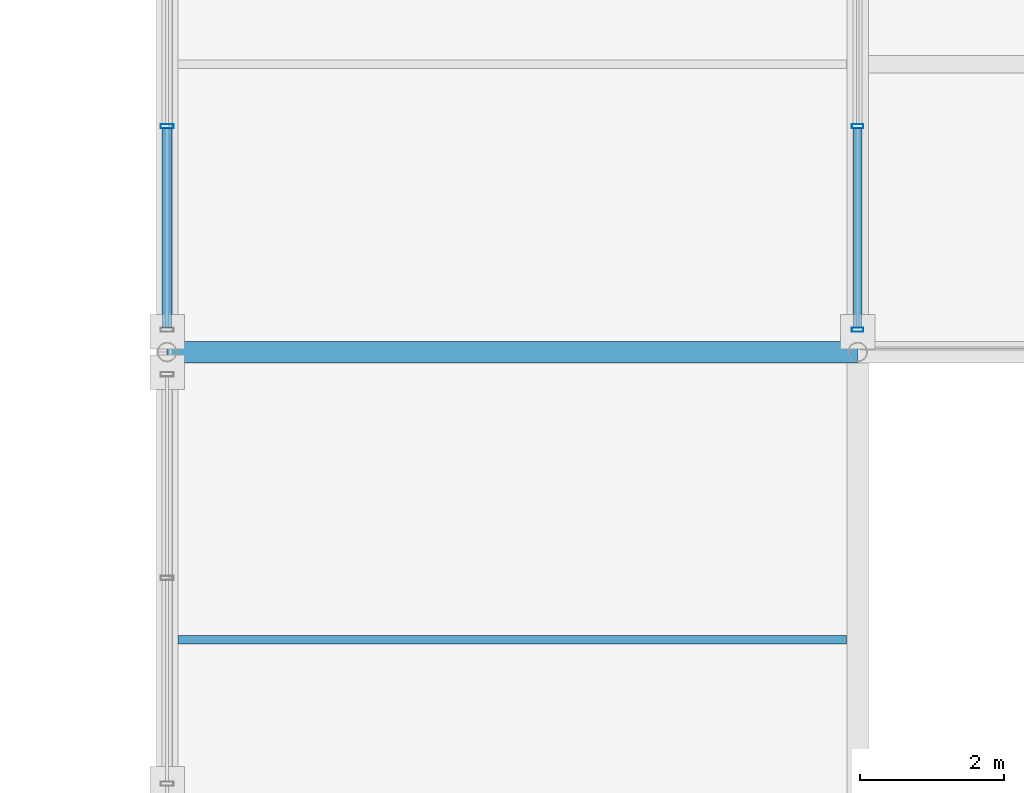
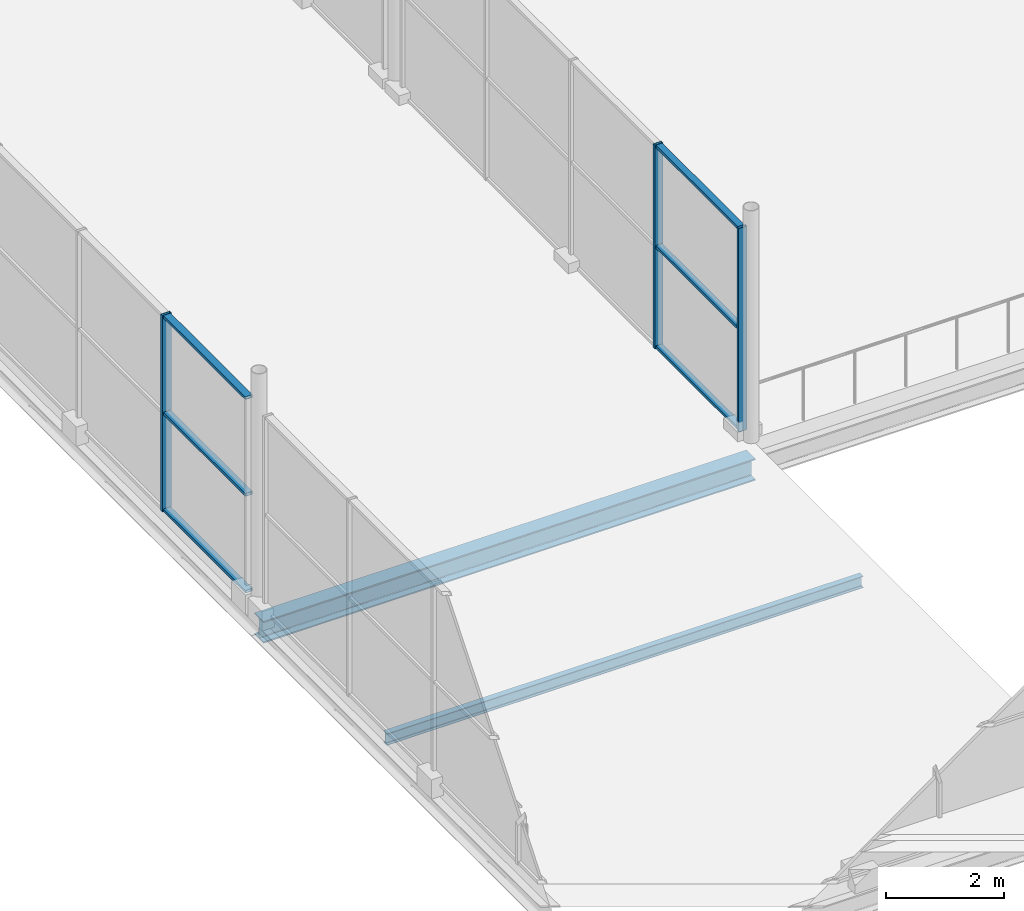
# One storey, part 47 of 159: 9 members, 2 beams, 2 elements without a shape of their own.
"""IFC4 building model written with IfcOpenShell, lengths in metres."""

from ifc_helpers import new_model, si_unit, direction, frame, origin, origin_2d, place, context, subcontext, project, spatial, hollow_rectangle, i_section, extrude, material, material_profile, profile_set, type_object, element, aggregate, save


model = new_model("IFC4")

# Units and contexts
model_context = context("Model", 3, precision=1e-05, world=origin(), true_north=direction((0.0, 1.0)))
body_context = subcontext(model_context, "Body", "Model", "MODEL_VIEW")
ifc_project = project(units=[si_unit("LENGTHUNIT", "METRE"), si_unit("AREAUNIT", "SQUARE_METRE"), si_unit("VOLUMEUNIT", "CUBIC_METRE"), si_unit("PLANEANGLEUNIT", "RADIAN"), si_unit("MASSUNIT", "GRAM", prefix="KILO")], contexts=[model_context])

# Site, building, storey
site_placement = place(None, origin())
site = spatial("IfcSite", under=ifc_project, at=site_placement, CompositionType="ELEMENT")
building_placement = place(site_placement, origin())
building = spatial("IfcBuilding", under=site, at=building_placement, Name="Merenkruunu Market Hall", CompositionType="ELEMENT")
storey_placement = place(building_placement, frame((0.0, 0.0, 5.39990234375)))
storey = spatial("IfcBuildingStorey", under=building, at=storey_placement, Name="L01", CompositionType="ELEMENT", Elevation=5.39990234375)

# Curtain wall, members
ifc_material_1 = material(Name="Powder-coated aluminium", Category="aluminium")
curtain_wall_type_1 = type_object("IfcCurtainWallType", Name="Glazed Curtain Wall CW14", PredefinedType="USERDEFINED", material=ifc_material_1)
curtain_wall_1_placement = place(storey_placement, origin())
curtain_wall_1 = element("IfcCurtainWall", 1, at=curtain_wall_1_placement, inside=storey, type_object=curtain_wall_type_1, Name="CW-L01-CWM01-153", ObjectType="GLAZED_FACADE", PredefinedType="USERDEFINED")
ifc_material_profile_1 = material_profile(ifc_material_1, hollow_rectangle(XDim=0.06005859375, YDim=0.159912109375, WallThickness=0.00390625, at=origin_2d()), Name="ALU 60x160x4")
ifc_profile_set_1 = profile_set([ifc_material_profile_1], Name="Powder-coated aluminium")
member_type_1 = type_object("IfcMemberType", Name="Curtain Wall Mullion CWM01", PredefinedType="MULLION", material=ifc_profile_set_1)
member_1_placement = place(storey_placement, frame((76.800048828125, 27.909912109375, 0.0), z_axis=(0.0, 0.0, 1.0), x_axis=(0.0, 1.0, 0.0)))
member_1 = element("IfcMember", 2, at=member_1_placement, type_object=member_type_1, Name="CW14 mullion 1", PredefinedType="MULLION", context=body_context, shape_type="SweptSolid", body=[
    extrude(hollow_rectangle(XDim=0.06005859375, YDim=0.159912109375, WallThickness=0.00390625, at=origin_2d()), origin(), (0.0, 0.0, 1.0), 4.2001953125),
])
member_2_placement = place(storey_placement, frame((76.800048828125, 30.739990234375, 0.0), z_axis=(0.0, 0.0, 1.0), x_axis=(0.0, 1.0, 0.0)))
member_2 = element("IfcMember", 3, at=member_2_placement, type_object=member_type_1, Name="CW14 mullion 2", PredefinedType="MULLION", context=body_context, shape_type="SweptSolid", body=[
    extrude(hollow_rectangle(XDim=0.06005859375, YDim=0.159912109375, WallThickness=0.00390625, at=origin_2d()), origin(), (0.0, 0.0, 1.0), 4.2001953125),
])

# Curtain wall, member
curtain_wall_type_2 = type_object("IfcCurtainWallType", Name="Glazed Curtain Wall CW16", PredefinedType="USERDEFINED", material=ifc_material_1)
curtain_wall_2_placement = place(storey_placement, origin())
curtain_wall_2 = element("IfcCurtainWall", 4, at=curtain_wall_2_placement, inside=storey, type_object=curtain_wall_type_2, Name="CW-L01-CWM02-171", ObjectType="GLAZED_FACADE", PredefinedType="USERDEFINED")
ifc_material_profile_2 = material_profile(ifc_material_1, hollow_rectangle(XDim=0.06005859375, YDim=0.179931640625, WallThickness=0.00390625, at=origin_2d()), Name="ALU 60x180x4")
ifc_profile_set_2 = profile_set([ifc_material_profile_2], Name="Powder-coated aluminium")
member_type_2 = type_object("IfcMemberType", Name="Curtain Wall Mullion CWM02", PredefinedType="MULLION", material=ifc_profile_set_2)
member_3_placement = place(storey_placement, frame((67.199951171875, 30.739990234375, 0.0), z_axis=(0.0, 0.0, 1.0), x_axis=(0.0, 1.0, 0.0)))
member_3 = element("IfcMember", 5, at=member_3_placement, type_object=member_type_2, Name="CW16 mullion 2", PredefinedType="MULLION", context=body_context, shape_type="SweptSolid", body=[
    extrude(hollow_rectangle(XDim=0.06005859375, YDim=0.179931640625, WallThickness=0.00390625, at=origin_2d()), origin(), (0.0, 0.0, 1.0), 4.050048828125),
])

# Member
ifc_material_profile_3 = material_profile(ifc_material_1, hollow_rectangle(XDim=0.06005859375, YDim=0.125, WallThickness=0.00390625, at=origin_2d()), Name="ALU 60x125x4")
ifc_profile_set_3 = profile_set([ifc_material_profile_3], Name="Powder-coated aluminium")
member_type_3 = type_object("IfcMemberType", Name="Curtain Wall Transom CWT01", PredefinedType="USERDEFINED", material=ifc_profile_set_3)
member_4_placement = place(storey_placement, frame((76.800048828125, 27.93994140625, 0.030029296875), z_axis=(0.0, 1.0, 0.0), x_axis=(0.0, 0.0, 1.0)))
member_4 = element("IfcMember", 6, at=member_4_placement, type_object=member_type_3, Name="CW14 transom 1.1", ObjectType="TRANSOM", PredefinedType="USERDEFINED", context=body_context, shape_type="SweptSolid", body=[
    extrude(hollow_rectangle(XDim=0.06005859375, YDim=0.125, WallThickness=0.00390625, at=origin_2d()), origin(), (0.0, 0.0, 1.0), 2.77001953125),
])

member_5_placement = place(storey_placement, frame((76.800048828125, 27.93994140625, 2.10009765625), z_axis=(0.0, 1.0, 0.0), x_axis=(0.0, 0.0, 1.0)))
member_5 = element("IfcMember", 7, at=member_5_placement, type_object=member_type_3, Name="CW14 transom 1.2", ObjectType="TRANSOM", PredefinedType="USERDEFINED", context=body_context, shape_type="SweptSolid", body=[
    extrude(hollow_rectangle(XDim=0.06005859375, YDim=0.125, WallThickness=0.00390625, at=origin_2d()), origin(), (0.0, 0.0, 1.0), 2.77001953125),
])

member_6_placement = place(storey_placement, frame((76.800048828125, 27.93994140625, 4.170166015625), z_axis=(0.0, 1.0, 0.0), x_axis=(0.0, 0.0, 1.0)))
member_6 = element("IfcMember", 8, at=member_6_placement, type_object=member_type_3, Name="CW14 transom 1.3", ObjectType="TRANSOM", PredefinedType="USERDEFINED", context=body_context, shape_type="SweptSolid", body=[
    extrude(hollow_rectangle(XDim=0.06005859375, YDim=0.125, WallThickness=0.00390625, at=origin_2d()), origin(), (0.0, 0.0, 1.0), 2.77001953125),
])

aggregate(curtain_wall_1, [member_1, member_2, member_4, member_5, member_6])

ifc_material_profile_4 = material_profile(ifc_material_1, hollow_rectangle(XDim=0.06005859375, YDim=0.139892578125, WallThickness=0.00390625, at=origin_2d()), Name="ALU 60x140x4")
ifc_profile_set_4 = profile_set([ifc_material_profile_4], Name="Powder-coated aluminium")
member_type_4 = type_object("IfcMemberType", Name="Curtain Wall Transom CWT02", PredefinedType="USERDEFINED", material=ifc_profile_set_4)
member_7_placement = place(storey_placement, frame((67.199951171875, 27.93994140625, 0.030029296875), z_axis=(0.0, 1.0, 0.0), x_axis=(0.0, 0.0, 1.0)))
member_7 = element("IfcMember", 9, at=member_7_placement, type_object=member_type_4, Name="CW16 transom 1.1", ObjectType="TRANSOM", PredefinedType="USERDEFINED", context=body_context, shape_type="SweptSolid", body=[
    extrude(hollow_rectangle(XDim=0.06005859375, YDim=0.139892578125, WallThickness=0.00390625, at=origin_2d()), origin(), (0.0, 0.0, 1.0), 2.77001953125),
])

member_8_placement = place(storey_placement, frame((67.199951171875, 27.93994140625, 2.025146484375), z_axis=(0.0, 1.0, 0.0), x_axis=(0.0, 0.0, 1.0)))
member_8 = element("IfcMember", 10, at=member_8_placement, type_object=member_type_4, Name="CW16 transom 1.2", ObjectType="TRANSOM", PredefinedType="USERDEFINED", context=body_context, shape_type="SweptSolid", body=[
    extrude(hollow_rectangle(XDim=0.06005859375, YDim=0.139892578125, WallThickness=0.00390625, at=origin_2d()), origin(), (0.0, 0.0, 1.0), 2.77001953125),
])

member_9_placement = place(storey_placement, frame((67.199951171875, 27.93994140625, 4.02001953125), z_axis=(0.0, 1.0, 0.0), x_axis=(0.0, 0.0, 1.0)))
member_9 = element("IfcMember", 11, at=member_9_placement, type_object=member_type_4, Name="CW16 transom 1.3", ObjectType="TRANSOM", PredefinedType="USERDEFINED", context=body_context, shape_type="SweptSolid", body=[
    extrude(hollow_rectangle(XDim=0.06005859375, YDim=0.139892578125, WallThickness=0.00390625, at=origin_2d()), origin(), (0.0, 0.0, 1.0), 2.77001953125),
])

aggregate(curtain_wall_2, [member_3, member_7, member_8, member_9])

# Beams
ifc_material_2 = material(Name="Steel S355J2", Category="steel")
ifc_material_profile_5 = material_profile(ifc_material_2, i_section(OverallWidth=0.300048828125, OverallDepth=0.449951171875, WebThickness=0.013916015625, FlangeThickness=0.02587890625, FilletRadius=0.027099609375, at=origin_2d()), Name="HEB 450")
ifc_profile_set_5 = profile_set([ifc_material_profile_5], Name="Steel S355J2")
beam_type_1 = type_object("IfcBeamType", Name="Primary Floor Girder B03", PredefinedType="BEAM", material=ifc_profile_set_5)
beam_1_placement = place(storey_placement, frame((67.199951171875, 27.60009765625, -0.534912109375), z_axis=(1.0, 0.0, 0.0), x_axis=(0.0, 1.0, 0.0)))
element("IfcBeam", 12, at=beam_1_placement, inside=storey, type_object=beam_type_1, Name="BM-L01-B03-0483", PredefinedType="BEAM", context=body_context, shape_type="SweptSolid", body=[
    extrude(i_section(OverallWidth=0.300048828125, OverallDepth=0.449951171875, WebThickness=0.013916015625, FlangeThickness=0.02587890625, FilletRadius=0.027099609375, at=origin_2d()), origin(), (0.0, 0.0, 1.0), 9.60009765625),
])
ifc_material_profile_6 = material_profile(ifc_material_2, i_section(OverallWidth=0.1201171875, OverallDepth=0.239990234375, WebThickness=0.006103515625, FlangeThickness=0.009765625, FilletRadius=0.014892578125, at=origin_2d()), Name="IPE 240")
ifc_profile_set_6 = profile_set([ifc_material_profile_6], Name="Steel S355J2")
beam_type_2 = type_object("IfcBeamType", Name="Secondary Floor Joist J05", PredefinedType="JOIST", material=ifc_profile_set_6)
beam_2_placement = place(storey_placement, frame((67.35302734375, 23.60009765625, -0.429931640625), z_axis=(1.0, 0.0, 0.0), x_axis=(0.0, 1.0, 0.0)))
element("IfcBeam", 13, at=beam_2_placement, inside=storey, type_object=beam_type_2, Name="BM-L01-J05-0677", PredefinedType="JOIST", context=body_context, shape_type="SweptSolid", body=[
    extrude(i_section(OverallWidth=0.1201171875, OverallDepth=0.239990234375, WebThickness=0.006103515625, FlangeThickness=0.009765625, FilletRadius=0.014892578125, at=origin_2d()), origin(), (0.0, 0.0, 1.0), 9.2939453125),
])

save(model, "model.ifc")
